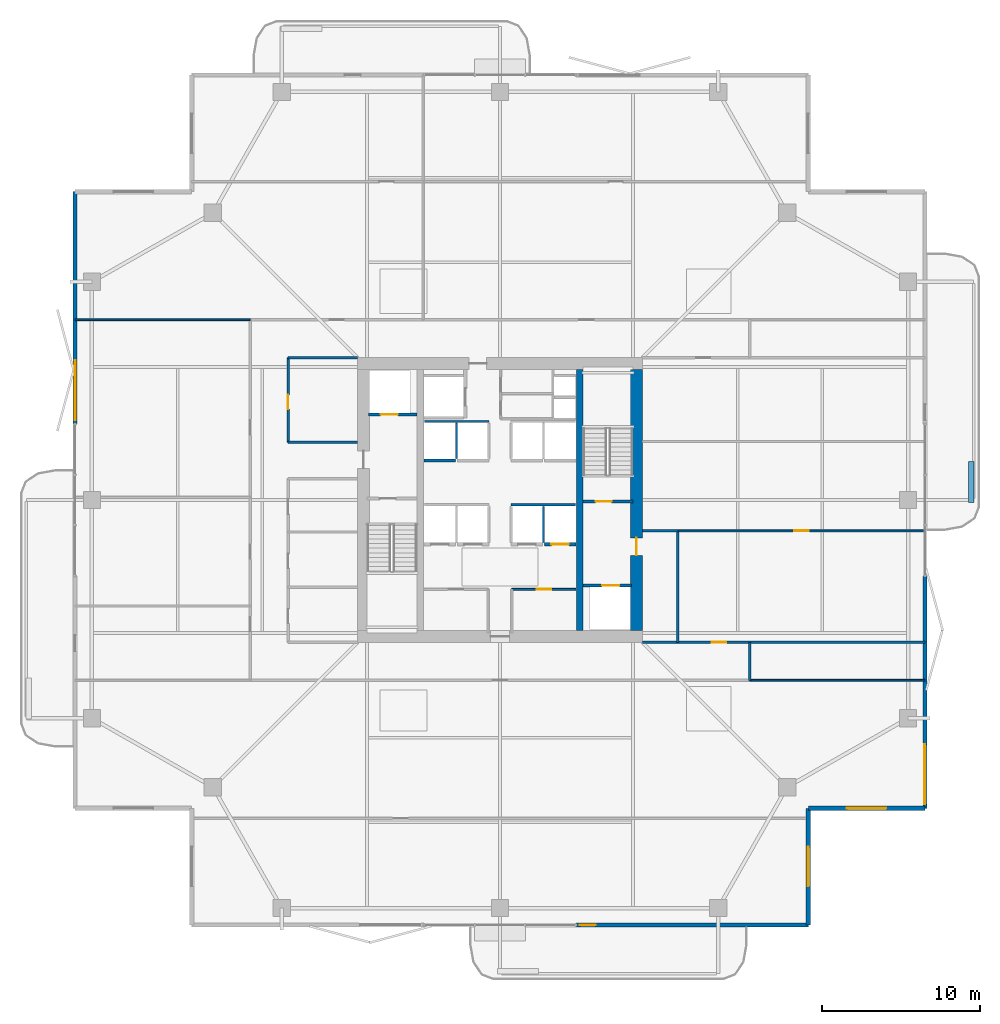
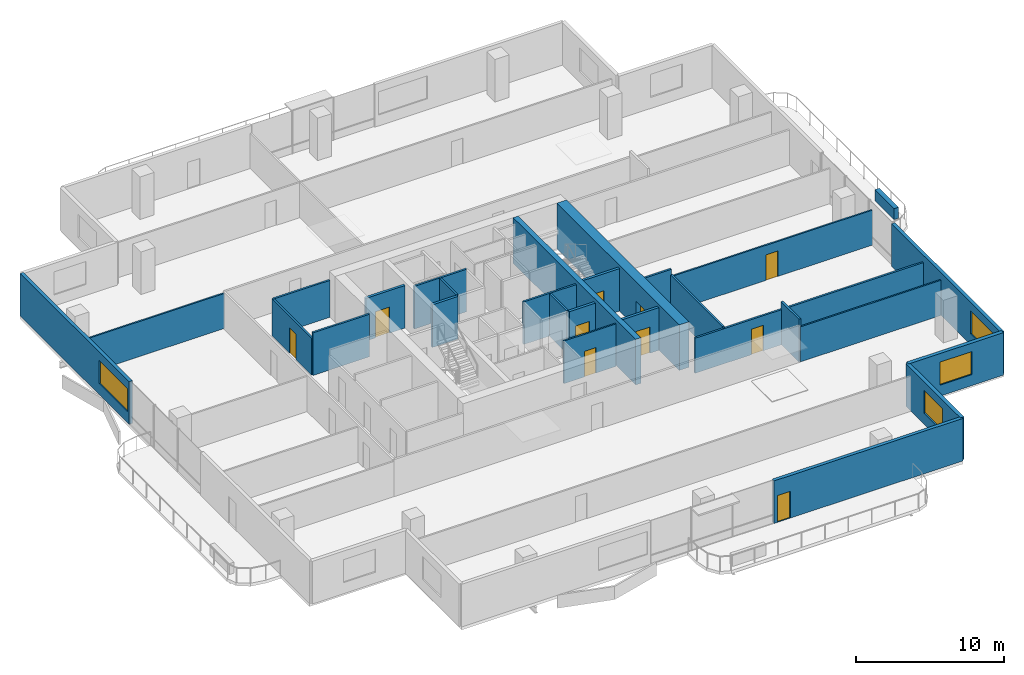
# One storey, part 18 of 24: 28 walls, 10 doors, 4 windows, 14 openings.
"""IFC4 building model written with IfcOpenShell, lengths in metres."""

from ifc_helpers import new_model, si_unit, direction, frame, frame_2d, origin, place, context, subcontext, project, spatial, rectangle, extrude, material, layer, layer_set, type_object, element, fill, save


model = new_model("IFC4")

# Units and contexts
model_context = context("Model", 3, precision=1e-05, world=origin(), true_north=direction((0.0, 1.0)))
body_context = subcontext(model_context, "Body", "Model", "MODEL_VIEW")
ifc_project = project(units=[si_unit("LENGTHUNIT", "METRE"), si_unit("AREAUNIT", "SQUARE_METRE"), si_unit("VOLUMEUNIT", "CUBIC_METRE"), si_unit("PLANEANGLEUNIT", "RADIAN"), si_unit("MASSUNIT", "GRAM", prefix="KILO")], contexts=[model_context])

# Site, building, storey
site_placement = place(None, origin())
site = spatial("IfcSite", under=ifc_project, at=site_placement, CompositionType="ELEMENT")
building_placement = place(site_placement, origin())
building = spatial("IfcBuilding", under=site, at=building_placement, Name="Belovzor Exchange Tower", CompositionType="ELEMENT")
storey_placement = place(building_placement, frame((0.0, 0.0, 222.449951171875)))
storey = spatial("IfcBuildingStorey", under=building, at=storey_placement, Name="L55", CompositionType="ELEMENT", Elevation=222.449951171875)

# Wall, opening, door
ifc_material_1 = material(Name="Acoustic Plasterboard on Galvanised Studs", Category="gypsum")
ifc_layer_1 = layer(ifc_material_1, 0.1201171875)
ifc_layer_set_1 = layer_set([ifc_layer_1], Name="Acoustic Plasterboard on Galvanised Studs")
wall_type_1 = type_object("IfcWallType", Name="Acoustic Double-Stud Partition Wall 120", PredefinedType="PARTITIONING", material=ifc_layer_set_1)
wall_1_placement = place(storey_placement, frame((40.050048828125, 26.85009765625, 0.0), z_axis=(0.0, 0.0, 1.0), x_axis=(1.0, 0.0, 0.0)))
wall_1 = element("IfcWall", 1, at=wall_1_placement, inside=storey, type_object=wall_type_1, Name="W-P120 Partition Wall W-L55-EDIV-1", PredefinedType="PARTITIONING", context=body_context, shape_type="SweptSolid", body=[
    extrude(rectangle(XDim=15.619873046875, YDim=0.1201171875, at=frame_2d((7.81005859375, 0.0))), origin(), (0.0, 0.0, 1.0), 2.885009765625),
])
opening_1_placement = place(wall_1_placement, frame((7.360107421875, 0.0, 0.0)))
opening_1 = element("IfcOpeningElement", 2, at=opening_1_placement, cuts=wall_1, Name="Opening D-INT-090", PredefinedType="OPENING", context=body_context, shape_type="SweptSolid", body=[
    extrude(rectangle(XDim=0.89990234375, YDim=2.10009765625, at=frame_2d((0.449951171875, 1.050048828125))), frame((0.0, 0.070068359375, 0.0), z_axis=(0.0, -1.0, 0.0), x_axis=(1.0, 0.0, 0.0)), (0.0, 0.0, 1.0), 0.14013671875),
])
ifc_material_2 = material(Name="Veneered Hardwood Acoustic Leaf", Category="wood")
door_type_1 = type_object("IfcDoorType", Name="Trading Suite Acoustic Single Door 900x2100", OperationType="NOTDEFINED", PredefinedType="DOOR", material=ifc_material_2)
door_1_placement = place(opening_1_placement, origin())
door_1 = element("IfcDoor", 3, at=door_1_placement, inside=storey, type_object=door_type_1, Name="D-INT-090 Trading Suite Acoustic Single Door 900x2100", OperationType="SINGLE_SWING_LEFT", OverallHeight=2.10009765625, OverallWidth=0.89990234375, PredefinedType="DOOR", context=body_context, shape_type="SweptSolid", body=[
    extrude(rectangle(XDim=0.89990234375, YDim=2.10009765625, at=frame_2d((0.449951171875, 1.050048828125))), frame((0.0, 0.02490234375, 0.0), z_axis=(0.0, -1.0, 0.0), x_axis=(1.0, 0.0, 0.0)), (0.0, 0.0, 1.0), 0.050048828125),
])
fill(opening_1, door_1)

# Walls
wall_2_placement = place(storey_placement, frame((44.60009765625, 17.39990234375, 0.0), z_axis=(0.0, 0.0, 1.0), x_axis=(1.0, 0.0, 0.0)))
element("IfcWall", 4, at=wall_2_placement, inside=storey, type_object=wall_type_1, Name="W-P120 Partition Wall W-L55-END-SE", PredefinedType="PARTITIONING", context=body_context, shape_type="SweptSolid", body=[
    extrude(rectangle(XDim=11.06982421875, YDim=0.1201171875, at=frame_2d((5.534912109375, 0.0))), origin(), (0.0, 0.0, 1.0), 2.885009765625),
])
wall_3_placement = place(storey_placement, frame((1.929931640625, 40.199951171875, 0.0), z_axis=(0.0, 0.0, 1.0), x_axis=(1.0, 0.0, 0.0)))
element("IfcWall", 5, at=wall_3_placement, inside=storey, type_object=wall_type_1, Name="W-P120 Partition Wall W-L55-END-NW", PredefinedType="PARTITIONING", context=body_context, shape_type="SweptSolid", body=[
    extrude(rectangle(XDim=11.070068359375, YDim=0.1201171875, at=frame_2d((5.53515625, 0.0))), origin(), (0.0, 0.0, 1.0), 2.885009765625),
])

# Wall, opening, door
ifc_material_3 = material(Name="Fire-Rated Plasterboard on Galvanised Studs", Category="gypsum")
ifc_layer_2 = layer(ifc_material_3, 0.1201171875)
ifc_layer_set_2 = layer_set([ifc_layer_2], Name="Fire-Rated Plasterboard on Galvanised Studs")
wall_type_2 = type_object("IfcWallType", Name="Fire-Rated Double-Stud Partition Wall 120", PredefinedType="PARTITIONING", material=ifc_layer_set_2)
wall_4_placement = place(storey_placement, frame((29.550048828125, 23.14990234375, 0.0), z_axis=(0.0, 0.0, 1.0), x_axis=(1.0, 0.0, 0.0)))
wall_4 = element("IfcWall", 6, at=wall_4_placement, inside=storey, type_object=wall_type_2, Name="W-P120F Partition Wall W-CRL-L55-EN", PredefinedType="PARTITIONING", context=body_context, shape_type="SweptSolid", body=[
    extrude(rectangle(XDim=4.050048828125, YDim=0.1201171875, at=frame_2d((2.02490234375, 0.0))), origin(), (0.0, 0.0, 1.0), 3.5),
])
opening_2_placement = place(wall_4_placement, frame((1.574951171875, 0.0, 0.0)))
opening_2 = element("IfcOpeningElement", 7, at=opening_2_placement, cuts=wall_4, Name="Opening D-FD60-090", PredefinedType="OPENING", context=body_context, shape_type="SweptSolid", body=[
    extrude(rectangle(XDim=0.89990234375, YDim=2.10009765625, at=frame_2d((0.449951171875, 1.050048828125))), frame((0.0, 0.070068359375, 0.0), z_axis=(0.0, -1.0, 0.0), x_axis=(1.0, 0.0, 0.0)), (0.0, 0.0, 1.0), 0.14013671875),
])
ifc_material_4 = material(Name="Acoustic Timber Fire Leaf", Category="wood")
door_type_2 = type_object("IfcDoorType", Name="Core Service & Restroom Fire Door 900x2100", OperationType="NOTDEFINED", PredefinedType="DOOR", material=ifc_material_4)
door_2_placement = place(opening_2_placement, origin())
door_2 = element("IfcDoor", 8, at=door_2_placement, inside=storey, type_object=door_type_2, Name="D-FD60-090 Core Service & Restroom Fire Door 900x2100", OperationType="SINGLE_SWING_RIGHT", OverallHeight=2.10009765625, OverallWidth=0.89990234375, PredefinedType="DOOR", context=body_context, shape_type="SweptSolid", body=[
    extrude(rectangle(XDim=0.89990234375, YDim=2.10009765625, at=frame_2d((0.449951171875, 1.050048828125))), frame((0.0, 0.02490234375, 0.0), z_axis=(0.0, -1.0, 0.0), x_axis=(1.0, 0.0, 0.0)), (0.0, 0.0, 1.0), 0.050048828125),
])
fill(opening_2, door_2)

# Walls
ifc_material_5 = material(Name="Fire-Rated Gypsum Block and Mineral Wool", Category="gypsum")
ifc_layer_3 = layer(ifc_material_5, 0.14990234375)
ifc_layer_set_3 = layer_set([ifc_layer_3], Name="Fire-Rated Gypsum Block and Mineral Wool")
wall_type_3 = type_object("IfcWallType", Name="Fire-Rated Gypsum Block Corridor Wall 150", PredefinedType="PARTITIONING", material=ifc_layer_set_3)
wall_5_placement = place(storey_placement, frame((15.39990234375, 32.449951171875, 0.0), z_axis=(0.0, 0.0, 1.0), x_axis=(1.0, 0.0, 0.0)))
element("IfcWall", 9, at=wall_5_placement, inside=storey, type_object=wall_type_3, Name="W-P150 Partition Wall W-L55-CFW-N", PredefinedType="PARTITIONING", context=body_context, shape_type="SweptSolid", body=[
    extrude(rectangle(XDim=4.400146484375, YDim=0.14990234375, at=frame_2d((2.2001953125, 0.0))), origin(), (0.0, 0.0, 1.0), 3.5),
])
wall_6_placement = place(storey_placement, frame((15.39990234375, 37.800048828125, 0.0), z_axis=(0.0, 0.0, 1.0), x_axis=(1.0, 0.0, 0.0)))
element("IfcWall", 10, at=wall_6_placement, inside=storey, type_object=wall_type_3, Name="W-P150 Partition Wall W-L55-INW-N", PredefinedType="PARTITIONING", context=body_context, shape_type="SweptSolid", body=[
    extrude(rectangle(XDim=4.400146484375, YDim=0.14990234375, at=frame_2d((2.2001953125, 0.0))), origin(), (0.0, 0.0, 1.0), 3.03515625),
])

# Wall, opening, door
wall_7_placement = place(storey_placement, frame((15.39990234375, 32.449951171875, 0.0), z_axis=(0.0, 0.0, 1.0), x_axis=(0.0, 1.0, 0.0)))
wall_7 = element("IfcWall", 11, at=wall_7_placement, inside=storey, type_object=wall_type_3, Name="W-P150 Partition Wall W-L55-WIE-N", PredefinedType="PARTITIONING", context=body_context, shape_type="SweptSolid", body=[
    extrude(rectangle(XDim=5.35009765625, YDim=0.14990234375, at=frame_2d((2.675048828125, 0.0))), origin(), (0.0, 0.0, 1.0), 3.03515625),
])
opening_3_placement = place(wall_7_placement, frame((2.10009765625, 0.0, 0.0)))
opening_3 = element("IfcOpeningElement", 12, at=opening_3_placement, cuts=wall_7, Name="Opening D-FD60-090", PredefinedType="OPENING", context=body_context, shape_type="SweptSolid", body=[
    extrude(rectangle(XDim=0.89990234375, YDim=2.10009765625, at=frame_2d((0.449951171875, 1.050048828125))), frame((0.0, 0.0849609375, 0.0), z_axis=(0.0, -1.0, 0.0), x_axis=(1.0, 0.0, 0.0)), (0.0, 0.0, 1.0), 0.169921875),
])
door_3_placement = place(opening_3_placement, origin())
door_3 = element("IfcDoor", 13, at=door_3_placement, inside=storey, type_object=door_type_2, Name="D-FD60-090 Core Service & Restroom Fire Door 900x2100", OperationType="SINGLE_SWING_LEFT", OverallHeight=2.10009765625, OverallWidth=0.89990234375, PredefinedType="DOOR", context=body_context, shape_type="SweptSolid", body=[
    extrude(rectangle(XDim=0.89990234375, YDim=2.10009765625, at=frame_2d((0.449951171875, 1.050048828125))), frame((0.0, 0.02490234375, 0.0), z_axis=(0.0, -1.0, 0.0), x_axis=(1.0, 0.0, 0.0)), (0.0, 0.0, 1.0), 0.050048828125),
])
fill(opening_3, door_3)

# Walls
wall_8_placement = place(storey_placement, frame((37.800048828125, 26.85009765625, 0.0), z_axis=(0.0, 0.0, 1.0), x_axis=(1.0, 0.0, 0.0)))
element("IfcWall", 14, at=wall_8_placement, inside=storey, type_object=wall_type_3, Name="W-P150 Partition Wall W-L55-CFE-N", PredefinedType="PARTITIONING", context=body_context, shape_type="SweptSolid", body=[
    extrude(rectangle(XDim=2.25, YDim=0.14990234375, at=frame_2d((1.125, 0.0))), origin(), (0.0, 0.0, 1.0), 3.5),
])
wall_9_placement = place(storey_placement, frame((40.050048828125, 19.800048828125, 0.0), z_axis=(0.0, 0.0, 1.0), x_axis=(0.0, 1.0, 0.0)))
element("IfcWall", 15, at=wall_9_placement, inside=storey, type_object=wall_type_3, Name="W-P150 Partition Wall W-L55-CFE-E", PredefinedType="PARTITIONING", context=body_context, shape_type="SweptSolid", body=[
    extrude(rectangle(XDim=7.050048828125, YDim=0.14990234375, at=frame_2d((3.52490234375, 0.0))), origin(), (0.0, 0.0, 1.0), 3.03515625),
])
wall_10_placement = place(storey_placement, frame((44.60009765625, 17.39990234375, 0.0), z_axis=(0.0, 0.0, 1.0), x_axis=(0.0, 1.0, 0.0)))
element("IfcWall", 16, at=wall_10_placement, inside=storey, type_object=wall_type_3, Name="W-P150 Partition Wall W-L55-END-ES", PredefinedType="PARTITIONING", context=body_context, shape_type="SweptSolid", body=[
    extrude(rectangle(XDim=2.400146484375, YDim=0.14990234375, at=frame_2d((1.2001953125, 0.0))), origin(), (0.0, 0.0, 1.0), 3.5),
])

# Wall, opening, door
wall_11_placement = place(storey_placement, frame((37.800048828125, 19.800048828125, 0.0), z_axis=(0.0, 0.0, 1.0), x_axis=(1.0, 0.0, 0.0)))
wall_11 = element("IfcWall", 17, at=wall_11_placement, inside=storey, type_object=wall_type_3, Name="W-P150 Partition Wall W-L55-CS-IN", PredefinedType="PARTITIONING", context=body_context, shape_type="SweptSolid", body=[
    extrude(rectangle(XDim=17.869873046875, YDim=0.14990234375, at=frame_2d((8.93505859375, 0.0))), origin(), (0.0, 0.0, 1.0), 2.885009765625),
])
opening_4_placement = place(wall_11_placement, frame((4.39990234375, 0.0, 0.0)))
opening_4 = element("IfcOpeningElement", 18, at=opening_4_placement, cuts=wall_11, Name="Opening D-INT-090", PredefinedType="OPENING", context=body_context, shape_type="SweptSolid", body=[
    extrude(rectangle(XDim=0.89990234375, YDim=2.10009765625, at=frame_2d((0.449951171875, 1.050048828125))), frame((0.0, 0.0849609375, 0.0), z_axis=(0.0, -1.0, 0.0), x_axis=(1.0, 0.0, 0.0)), (0.0, 0.0, 1.0), 0.169921875),
])
door_4_placement = place(opening_4_placement, origin())
door_4 = element("IfcDoor", 19, at=door_4_placement, inside=storey, type_object=door_type_1, Name="D-INT-090 Trading Suite Acoustic Single Door 900x2100", OperationType="SINGLE_SWING_LEFT", OverallHeight=2.10009765625, OverallWidth=0.89990234375, PredefinedType="DOOR", context=body_context, shape_type="SweptSolid", body=[
    extrude(rectangle(XDim=0.89990234375, YDim=2.10009765625, at=frame_2d((0.449951171875, 1.050048828125))), frame((0.0, 0.02490234375, 0.0), z_axis=(0.0, -1.0, 0.0), x_axis=(1.0, 0.0, 0.0)), (0.0, 0.0, 1.0), 0.050048828125),
])
fill(opening_4, door_4)

# Wall, opening, window
ifc_material_6 = material(Name="Precast concrete C40/50", Category="concrete")
ifc_layer_4 = layer(ifc_material_6, 0.280029296875)
ifc_layer_set_4 = layer_set([ifc_layer_4], Name="Precast concrete C40/50")
wall_type_4 = type_object("IfcWallType", Name="Precast Concrete Notched Corner Frame Wall 280", PredefinedType="SOLIDWALL", material=ifc_layer_set_4)
wall_12_placement = place(storey_placement, frame((55.669921875, 9.300048828125, 0.0), z_axis=(0.0, 0.0, 1.0), x_axis=(-1.0, 0.0, 0.0)))
wall_12 = element("IfcWall", 20, at=wall_12_placement, inside=storey, type_object=wall_type_4, Name="W-CRN280 Precast Concrete Notched Corner Frame Wall 280 L55", PredefinedType="SOLIDWALL", context=body_context, shape_type="SweptSolid", body=[
    extrude(rectangle(XDim=7.369873046875, YDim=0.280029296875, at=frame_2d((3.68505859375, 0.0))), origin(), (0.0, 0.0, 1.0), 3.5),
])
opening_5_placement = place(wall_12_placement, frame((2.43505859375, 0.0, 0.89990234375)))
opening_5 = element("IfcOpeningElement", 21, at=opening_5_placement, cuts=wall_12, Name="Opening WN-CRN250", PredefinedType="OPENING", context=body_context, shape_type="SweptSolid", body=[
    extrude(rectangle(XDim=2.5, YDim=1.89990234375, at=frame_2d((1.25, 0.949951171875))), frame((0.0, 0.14990234375, 0.0), z_axis=(0.0, -1.0, 0.0), x_axis=(1.0, 0.0, 0.0)), (0.0, 0.0, 1.0), 0.300048828125),
])
ifc_material_7 = material(Name="Thermally Broken Aluminium and Triple Glazing", Category="aluminium")
window_type_1 = type_object("IfcWindowType", Name="Streamline Moderne Corner Wrap Ribbon Window 2500x1900", PartitioningType="SINGLE_PANEL", PredefinedType="WINDOW", material=ifc_material_7)
window_1_placement = place(opening_5_placement, origin())
window_1 = element("IfcWindow", 22, at=window_1_placement, inside=storey, type_object=window_type_1, Name="WN-CRN250 Streamline Moderne Corner Wrap Ribbon Window 2500x1900", OverallHeight=1.89990234375, OverallWidth=2.5, PartitioningType="SINGLE_PANEL", PredefinedType="WINDOW", context=body_context, shape_type="SweptSolid", body=[
    extrude(rectangle(XDim=2.5, YDim=1.89990234375, at=frame_2d((1.25, 0.949951171875))), frame((0.0, 0.030029296875, 0.0), z_axis=(0.0, -1.0, 0.0), x_axis=(1.0, 0.0, 0.0)), (0.0, 0.0, 1.0), 0.06005859375),
])
fill(opening_5, window_1)

wall_13_placement = place(storey_placement, frame((48.300048828125, 9.300048828125, 0.0), z_axis=(0.0, 0.0, 1.0), x_axis=(0.0, -1.0, 0.0)))
wall_13 = element("IfcWall", 23, at=wall_13_placement, inside=storey, type_object=wall_type_4, Name="W-CRN280 Precast Concrete Notched Corner Frame Wall 280 L55", PredefinedType="SOLIDWALL", context=body_context, shape_type="SweptSolid", body=[
    extrude(rectangle(XDim=7.3701171875, YDim=0.280029296875, at=frame_2d((3.68505859375, 0.0))), origin(), (0.0, 0.0, 1.0), 3.5),
])
opening_6_placement = place(wall_13_placement, frame((2.43505859375, 0.0, 0.89990234375)))
opening_6 = element("IfcOpeningElement", 24, at=opening_6_placement, cuts=wall_13, Name="Opening WN-CRN250", PredefinedType="OPENING", context=body_context, shape_type="SweptSolid", body=[
    extrude(rectangle(XDim=2.5, YDim=1.89990234375, at=frame_2d((1.25, 0.949951171875))), frame((0.0, 0.14990234375, 0.0), z_axis=(0.0, -1.0, 0.0), x_axis=(1.0, 0.0, 0.0)), (0.0, 0.0, 1.0), 0.300048828125),
])
window_2_placement = place(opening_6_placement, origin())
window_2 = element("IfcWindow", 25, at=window_2_placement, inside=storey, type_object=window_type_1, Name="WN-CRN250 Streamline Moderne Corner Wrap Ribbon Window 2500x1900", OverallHeight=1.89990234375, OverallWidth=2.5, PartitioningType="SINGLE_PANEL", PredefinedType="WINDOW", context=body_context, shape_type="SweptSolid", body=[
    extrude(rectangle(XDim=2.5, YDim=1.89990234375, at=frame_2d((1.25, 0.949951171875))), frame((0.0, 0.030029296875, 0.0), z_axis=(0.0, -1.0, 0.0), x_axis=(1.0, 0.0, 0.0)), (0.0, 0.0, 1.0), 0.06005859375),
])
fill(opening_6, window_2)

# Wall, opening, door
ifc_material_8 = material(Name="Precast concrete C40/50", Category="concrete")
ifc_layer_5 = layer(ifc_material_8, 0.260009765625)
ifc_layer_set_5 = layer_set([ifc_layer_5], Name="Precast concrete C40/50")
wall_type_5 = type_object("IfcWallType", Name="Precast Concrete Perimeter Loggia Frame Wall 260", PredefinedType="SOLIDWALL", material=ifc_layer_set_5)
wall_14_placement = place(storey_placement, frame((48.300048828125, 1.929931640625, 0.0), z_axis=(0.0, 0.0, 1.0), x_axis=(-1.0, 0.0, 0.0)))
wall_14 = element("IfcWall", 26, at=wall_14_placement, inside=storey, type_object=wall_type_5, Name="W-EXT260 Precast Concrete Perimeter Loggia Frame Wall 260 L55", PredefinedType="SOLIDWALL", context=body_context, shape_type="SweptSolid", body=[
    extrude(rectangle(XDim=14.699951171875, YDim=0.260009765625, at=frame_2d((7.35009765625, 0.0))), origin(), (0.0, 0.0, 1.0), 3.5),
])
opening_7_placement = place(wall_14_placement, frame((13.449951171875, 0.0, 0.0)))
opening_7 = element("IfcOpeningElement", 27, at=opening_7_placement, cuts=wall_14, Name="Opening D-BAL100", PredefinedType="OPENING", context=body_context, shape_type="SweptSolid", body=[
    extrude(rectangle(XDim=1.0, YDim=2.199951171875, at=frame_2d((0.5, 1.10009765625))), frame((0.0, 0.139892578125, 0.0), z_axis=(0.0, -1.0, 0.0), x_axis=(1.0, 0.0, 0.0)), (0.0, 0.0, 1.0), 0.280029296875),
])
ifc_material_9 = material(Name="Thermally Broken Anodised Aluminium and Laminated Glass", Category="aluminium")
door_type_3 = type_object("IfcDoorType", Name="Planted Loggia Terrace Glazed Door 1000x2200", OperationType="SINGLE_SWING_LEFT", PredefinedType="DOOR", material=ifc_material_9)
door_5_placement = place(opening_7_placement, origin())
door_5 = element("IfcDoor", 28, at=door_5_placement, inside=storey, type_object=door_type_3, Name="D-BAL100 Balcony Terrace Door L55 S", OperationType="SINGLE_SWING_LEFT", OverallHeight=2.199951171875, OverallWidth=1.0, PredefinedType="DOOR", context=body_context, shape_type="SweptSolid", body=[
    extrude(rectangle(XDim=1.0, YDim=2.199951171875, at=frame_2d((0.5, 1.10009765625))), frame((0.0, 0.02490234375, 0.0), z_axis=(0.0, -1.0, 0.0), x_axis=(1.0, 0.0, 0.0)), (0.0, 0.0, 1.0), 0.050048828125),
])
fill(opening_7, door_5)

# Wall, opening, window
wall_15_placement = place(storey_placement, frame((1.929931640625, 33.60009765625, 0.0), z_axis=(0.0, 0.0, 1.0), x_axis=(0.0, 1.0, 0.0)))
wall_15 = element("IfcWall", 29, at=wall_15_placement, inside=storey, type_object=wall_type_5, Name="W-EXT260 Precast Concrete Perimeter Loggia Frame Wall 260 L55", PredefinedType="SOLIDWALL", context=body_context, shape_type="SweptSolid", body=[
    extrude(rectangle(XDim=14.699951171875, YDim=0.260009765625, at=frame_2d((7.35009765625, 0.0))), origin(), (0.0, 0.0, 1.0), 3.5),
])
opening_8_placement = place(wall_15_placement, frame((0.25, 0.0, 0.89990234375)))
opening_8 = element("IfcOpeningElement", 30, at=opening_8_placement, cuts=wall_15, Name="Opening WN-RIB380", PredefinedType="OPENING", context=body_context, shape_type="SweptSolid", body=[
    extrude(rectangle(XDim=3.800048828125, YDim=1.89990234375, at=frame_2d((1.89990234375, 0.949951171875))), frame((0.0, 0.139892578125, 0.0), z_axis=(0.0, -1.0, 0.0), x_axis=(1.0, 0.0, 0.0)), (0.0, 0.0, 1.0), 0.280029296875),
])
ifc_material_10 = material(Name="Thermally Broken Aluminium and Triple Glazing", Category="aluminium")
window_type_2 = type_object("IfcWindowType", Name="Streamline Moderne Horizontal Ribbon Window 3800x1900", PartitioningType="SINGLE_PANEL", PredefinedType="WINDOW", material=ifc_material_10)
window_3_placement = place(opening_8_placement, origin())
window_3 = element("IfcWindow", 31, at=window_3_placement, inside=storey, type_object=window_type_2, Name="WN-RIB380 Streamline Moderne Horizontal Ribbon Window 3800x1900", OverallHeight=1.89990234375, OverallWidth=3.800048828125, PartitioningType="SINGLE_PANEL", PredefinedType="WINDOW", context=body_context, shape_type="SweptSolid", body=[
    extrude(rectangle(XDim=3.800048828125, YDim=1.89990234375, at=frame_2d((1.89990234375, 0.949951171875))), frame((0.0, 0.030029296875, 0.0), z_axis=(0.0, -1.0, 0.0), x_axis=(1.0, 0.0, 0.0)), (0.0, 0.0, 1.0), 0.06005859375),
])
fill(opening_8, window_3)

wall_16_placement = place(storey_placement, frame((55.669921875, 24.0, 0.0), z_axis=(0.0, 0.0, 1.0), x_axis=(0.0, -1.0, 0.0)))
wall_16 = element("IfcWall", 32, at=wall_16_placement, inside=storey, type_object=wall_type_5, Name="W-EXT260 Precast Concrete Perimeter Loggia Frame Wall 260 L55", PredefinedType="SOLIDWALL", context=body_context, shape_type="SweptSolid", body=[
    extrude(rectangle(XDim=14.699951171875, YDim=0.260009765625, at=frame_2d((7.35009765625, 0.0))), origin(), (0.0, 0.0, 1.0), 3.5),
])
opening_9_placement = place(wall_16_placement, frame((10.64990234375, 0.0, 0.89990234375)))
opening_9 = element("IfcOpeningElement", 33, at=opening_9_placement, cuts=wall_16, Name="Opening WN-RIB380", PredefinedType="OPENING", context=body_context, shape_type="SweptSolid", body=[
    extrude(rectangle(XDim=3.800048828125, YDim=1.89990234375, at=frame_2d((1.89990234375, 0.949951171875))), frame((0.0, 0.139892578125, 0.0), z_axis=(0.0, -1.0, 0.0), x_axis=(1.0, 0.0, 0.0)), (0.0, 0.0, 1.0), 0.280029296875),
])
window_4_placement = place(opening_9_placement, origin())
window_4 = element("IfcWindow", 34, at=window_4_placement, inside=storey, type_object=window_type_2, Name="WN-RIB380 Streamline Moderne Horizontal Ribbon Window 3800x1900", OverallHeight=1.89990234375, OverallWidth=3.800048828125, PartitioningType="SINGLE_PANEL", PredefinedType="WINDOW", context=body_context, shape_type="SweptSolid", body=[
    extrude(rectangle(XDim=3.800048828125, YDim=1.89990234375, at=frame_2d((1.89990234375, 0.949951171875))), frame((0.0, 0.030029296875, 0.0), z_axis=(0.0, -1.0, 0.0), x_axis=(1.0, 0.0, 0.0)), (0.0, 0.0, 1.0), 0.06005859375),
])
fill(opening_9, window_4)

# Walls
ifc_material_11 = material(Name="Precast concrete C40/50", Category="concrete")
ifc_layer_6 = layer(ifc_material_11, 0.35009765625)
ifc_layer_set_6 = layer_set([ifc_layer_6], Name="Precast concrete C40/50")
wall_type_6 = type_object("IfcWallType", Name="Precast Concrete Structural Tree Planter Trough 350", PredefinedType="PARAPET", material=ifc_layer_set_6)
wall_17_placement = place(storey_placement, frame((58.60009765625, 28.64990234375, 0.0), z_axis=(0.0, 0.0, 1.0), x_axis=(0.0, 1.0, 0.0)))
element("IfcWall", 35, at=wall_17_placement, inside=storey, type_object=wall_type_6, Name="PT-350 Precast Concrete Structural Tree Planter Trough 350 L55", PredefinedType="PARAPET", context=body_context, shape_type="SweptSolid", body=[
    extrude(rectangle(XDim=2.60009765625, YDim=0.35009765625, at=frame_2d((1.300048828125, 0.0))), origin(), (0.0, 0.0, 1.0), 0.900146484375),
])
ifc_material_12 = material(Name="Concrete C50/60", Category="concrete")
ifc_layer_7 = layer(ifc_material_12, 0.39990234375)
ifc_layer_set_7 = layer_set([ifc_layer_7], Name="Concrete C50/60")
wall_type_7 = type_object("IfcWallType", Name="Reinforced Concrete Core Internal Web Wall 400", PredefinedType="SHEAR", material=ifc_layer_set_7)
wall_18_placement = place(storey_placement, frame((33.85009765625, 20.550048828125, 0.0), z_axis=(0.0, 0.0, 1.0), x_axis=(0.0, 1.0, 0.0)))
element("IfcWall", 36, at=wall_18_placement, inside=storey, type_object=wall_type_7, Name="CW-W040 Core Internal Web Wall L55 ER", PredefinedType="SHEAR", context=body_context, shape_type="SweptSolid", body=[
    extrude(rectangle(XDim=16.5, YDim=0.39990234375, at=frame_2d((8.25, 0.0))), origin(), (0.0, 0.0, 1.0), 3.75),
])
ifc_material_13 = material(Name="Concrete C50/60", Category="concrete")
ifc_layer_8 = layer(ifc_material_13, 0.14990234375)
ifc_layer_set_8 = layer_set([ifc_layer_8], Name="Concrete C50/60")
wall_type_8 = type_object("IfcWallType", Name="Reinforced Concrete Core Riser Shear Wall 150", PredefinedType="SHEAR", material=ifc_layer_set_8)
wall_19_placement = place(storey_placement, frame((29.5, 28.5, 0.0), z_axis=(0.0, 0.0, 1.0), x_axis=(1.0, 0.0, 0.0)))
element("IfcWall", 37, at=wall_19_placement, inside=storey, type_object=wall_type_8, Name="W-C150S Core Shaft Wall W-SHB-L55-PLM-NE", PredefinedType="SHEAR", context=body_context, shape_type="SweptSolid", body=[
    extrude(rectangle(XDim=4.080078125, YDim=0.14990234375, at=frame_2d((2.0400390625, 0.0))), origin(), (0.0, 0.0, 1.0), 3.5),
])
wall_20_placement = place(storey_placement, frame((31.550048828125, 26.1201171875, 0.0), z_axis=(0.0, 0.0, 1.0), x_axis=(0.0, 1.0, 0.0)))
element("IfcWall", 38, at=wall_20_placement, inside=storey, type_object=wall_type_8, Name="W-C150S Core Shaft Wall W-SHD-L55-PLM-4", PredefinedType="SHEAR", context=body_context, shape_type="SweptSolid", body=[
    extrude(rectangle(XDim=2.27978515625, YDim=0.14990234375, at=frame_2d((1.139892578125, 0.0))), origin(), (0.0, 0.0, 1.0), 3.5),
])
wall_21_placement = place(storey_placement, frame((24.02001953125, 33.760009765625, 0.0), z_axis=(0.0, 0.0, 1.0), x_axis=(1.0, 0.0, 0.0)))
element("IfcWall", 39, at=wall_21_placement, inside=storey, type_object=wall_type_8, Name="W-C150S Core Shaft Wall W-SHB-L55-PLH-NW", PredefinedType="SHEAR", context=body_context, shape_type="SweptSolid", body=[
    extrude(rectangle(XDim=4.080078125, YDim=0.14990234375, at=frame_2d((2.0400390625, 0.0))), origin(), (0.0, 0.0, 1.0), 3.5),
])
wall_22_placement = place(storey_placement, frame((26.050048828125, 31.419921875, 0.0), z_axis=(0.0, 0.0, 1.0), x_axis=(0.0, 1.0, 0.0)))
element("IfcWall", 40, at=wall_22_placement, inside=storey, type_object=wall_type_8, Name="W-C150S Core Shaft Wall W-SHD-L55-PLH-1", PredefinedType="SHEAR", context=body_context, shape_type="SweptSolid", body=[
    extrude(rectangle(XDim=2.239990234375, YDim=0.14990234375, at=frame_2d((1.1201171875, 0.0))), origin(), (0.0, 0.0, 1.0), 3.5),
])

# Wall, opening, door
ifc_material_14 = material(Name="Concrete C50/60", Category="concrete")
ifc_layer_9 = layer(ifc_material_14, 0.199951171875)
ifc_layer_set_9 = layer_set([ifc_layer_9], Name="Concrete C50/60")
wall_type_9 = type_object("IfcWallType", Name="Reinforced Concrete Core Shaft Shear Wall 200", PredefinedType="SHEAR", material=ifc_layer_set_9)
wall_23_placement = place(storey_placement, frame((34.050048828125, 28.699951171875, 0.0), z_axis=(0.0, 0.0, 1.0), x_axis=(1.0, 0.0, 0.0)))
wall_23 = element("IfcWall", 41, at=wall_23_placement, inside=storey, type_object=wall_type_9, Name="W-C200S Core Shaft Wall W-CORE-L55-FFLE2", PredefinedType="SHEAR", context=body_context, shape_type="SweptSolid", body=[
    extrude(rectangle(XDim=3.14990234375, YDim=0.199951171875, at=frame_2d((1.574951171875, 0.0))), origin(), (0.0, 0.0, 1.0), 3.5),
])
opening_10_placement = place(wall_23_placement, frame((0.800048828125, 0.0, 0.0)))
opening_10 = element("IfcOpeningElement", 42, at=opening_10_placement, cuts=wall_23, Name="Opening D-FD90-100", PredefinedType="OPENING", context=body_context, shape_type="SweptSolid", body=[
    extrude(rectangle(XDim=1.0, YDim=2.10009765625, at=frame_2d((0.5, 1.050048828125))), frame((0.0, 0.10986328125, 0.0), z_axis=(0.0, -1.0, 0.0), x_axis=(1.0, 0.0, 0.0)), (0.0, 0.0, 1.0), 0.219970703125),
])
ifc_material_15 = material(Name="Fire-Rated Galvanised Steel Leaf", Category="steel")
door_type_4 = type_object("IfcDoorType", Name="Protected Stairwell Single Fire Door 1000x2100", OperationType="NOTDEFINED", PredefinedType="DOOR", material=ifc_material_15)
door_6_placement = place(opening_10_placement, origin())
door_6 = element("IfcDoor", 43, at=door_6_placement, inside=storey, type_object=door_type_4, Name="D-FD90-100 Protected Stairwell Single Fire Door 1000x2100", OperationType="SINGLE_SWING_LEFT", OverallHeight=2.10009765625, OverallWidth=1.0, PredefinedType="DOOR", context=body_context, shape_type="SweptSolid", body=[
    extrude(rectangle(XDim=1.0, YDim=2.10009765625, at=frame_2d((0.5, 1.050048828125))), frame((0.0, 0.02490234375, 0.0), z_axis=(0.0, -1.0, 0.0), x_axis=(1.0, 0.0, 0.0)), (0.0, 0.0, 1.0), 0.050048828125),
])
fill(opening_10, door_6)

wall_24_placement = place(storey_placement, frame((20.5, 34.199951171875, 0.0), z_axis=(0.0, 0.0, 1.0), x_axis=(1.0, 0.0, 0.0)))
wall_24 = element("IfcWall", 44, at=wall_24_placement, inside=storey, type_object=wall_type_9, Name="W-C200S Core Shaft Wall W-SH-L55-FFL-01", PredefinedType="SHEAR", context=body_context, shape_type="SweptSolid", body=[
    extrude(rectangle(XDim=3.050048828125, YDim=0.199951171875, at=frame_2d((1.52490234375, 0.0))), origin(), (0.0, 0.0, 1.0), 3.5),
])
opening_11_placement = place(wall_24_placement, frame((0.75, 0.0, 0.0)))
opening_11 = element("IfcOpeningElement", 45, at=opening_11_placement, cuts=wall_24, Name="Opening LD-110", PredefinedType="OPENING", context=body_context, shape_type="SweptSolid", body=[
    extrude(rectangle(XDim=1.10009765625, YDim=2.14990234375, at=frame_2d((0.550048828125, 1.074951171875))), frame((0.0, 0.10986328125, 0.0), z_axis=(0.0, -1.0, 0.0), x_axis=(1.0, 0.0, 0.0)), (0.0, 0.0, 1.0), 0.219970703125),
])
ifc_material_16 = material(Name="Stainless Steel Grade 304", Category="steel")
door_type_5 = type_object("IfcDoorType", Name="Automated Stainless Steel Lift Landing Door 1100x2150", OperationType="SLIDING_TO_RIGHT", PredefinedType="DOOR", material=ifc_material_16)
door_7_placement = place(opening_11_placement, origin())
door_7 = element("IfcDoor", 46, at=door_7_placement, inside=storey, type_object=door_type_5, Name="LD-110 Automated Stainless Steel Lift Landing Door 1100x2150", OperationType="SLIDING_TO_RIGHT", OverallHeight=2.14990234375, OverallWidth=1.10009765625, PredefinedType="DOOR", context=body_context, shape_type="SweptSolid", body=[
    extrude(rectangle(XDim=1.10009765625, YDim=2.14990234375, at=frame_2d((0.550048828125, 1.074951171875))), frame((0.0, 0.02490234375, 0.0), z_axis=(0.0, -1.0, 0.0), x_axis=(1.0, 0.0, 0.0)), (0.0, 0.0, 1.0), 0.050048828125),
])
fill(opening_11, door_7)

wall_25_placement = place(storey_placement, frame((34.050048828125, 23.39990234375, 0.0), z_axis=(0.0, 0.0, 1.0), x_axis=(1.0, 0.0, 0.0)))
wall_25 = element("IfcWall", 47, at=wall_25_placement, inside=storey, type_object=wall_type_9, Name="W-C200S Core Shaft Wall W-SH-L55-FFL-02", PredefinedType="SHEAR", context=body_context, shape_type="SweptSolid", body=[
    extrude(rectangle(XDim=3.050048828125, YDim=0.199951171875, at=frame_2d((1.52490234375, 0.0))), origin(), (0.0, 0.0, 1.0), 3.5),
])
opening_12_placement = place(wall_25_placement, frame((1.199951171875, 0.0, 0.0)))
opening_12 = element("IfcOpeningElement", 48, at=opening_12_placement, cuts=wall_25, Name="Opening LD-110", PredefinedType="OPENING", context=body_context, shape_type="SweptSolid", body=[
    extrude(rectangle(XDim=1.10009765625, YDim=2.14990234375, at=frame_2d((0.550048828125, 1.074951171875))), frame((0.0, 0.10986328125, 0.0), z_axis=(0.0, -1.0, 0.0), x_axis=(1.0, 0.0, 0.0)), (0.0, 0.0, 1.0), 0.219970703125),
])
door_8_placement = place(opening_12_placement, origin())
door_8 = element("IfcDoor", 49, at=door_8_placement, inside=storey, type_object=door_type_5, Name="LD-110 Automated Stainless Steel Lift Landing Door 1100x2150", OperationType="SLIDING_TO_RIGHT", OverallHeight=2.14990234375, OverallWidth=1.10009765625, PredefinedType="DOOR", context=body_context, shape_type="SweptSolid", body=[
    extrude(rectangle(XDim=1.10009765625, YDim=2.14990234375, at=frame_2d((0.550048828125, 1.074951171875))), frame((0.0, 0.02490234375, 0.0), z_axis=(0.0, -1.0, 0.0), x_axis=(1.0, 0.0, 0.0)), (0.0, 0.0, 1.0), 0.050048828125),
])
fill(opening_12, door_8)

wall_26_placement = place(storey_placement, frame((31.60009765625, 26.0, 0.0), z_axis=(0.0, 0.0, 1.0), x_axis=(1.0, 0.0, 0.0)))
wall_26 = element("IfcWall", 50, at=wall_26_placement, inside=storey, type_object=wall_type_9, Name="W-C200S Core Shaft Wall W-SH-L55-PL-M4", PredefinedType="SHEAR", context=body_context, shape_type="SweptSolid", body=[
    extrude(rectangle(XDim=2.0, YDim=0.199951171875, at=frame_2d((1.0, 0.0))), origin(), (0.0, 0.0, 1.0), 3.5),
])
opening_13_placement = place(wall_26_placement, frame((0.449951171875, 0.0, 0.0)))
opening_13 = element("IfcOpeningElement", 51, at=opening_13_placement, cuts=wall_26, Name="Opening LD-110", PredefinedType="OPENING", context=body_context, shape_type="SweptSolid", body=[
    extrude(rectangle(XDim=1.10009765625, YDim=2.14990234375, at=frame_2d((0.550048828125, 1.074951171875))), frame((0.0, 0.10986328125, 0.0), z_axis=(0.0, -1.0, 0.0), x_axis=(1.0, 0.0, 0.0)), (0.0, 0.0, 1.0), 0.219970703125),
])
door_9_placement = place(opening_13_placement, origin())
door_9 = element("IfcDoor", 52, at=door_9_placement, inside=storey, type_object=door_type_5, Name="LD-110 Automated Stainless Steel Lift Landing Door 1100x2150", OperationType="SLIDING_TO_RIGHT", OverallHeight=2.14990234375, OverallWidth=1.10009765625, PredefinedType="DOOR", context=body_context, shape_type="SweptSolid", body=[
    extrude(rectangle(XDim=1.10009765625, YDim=2.14990234375, at=frame_2d((0.550048828125, 1.074951171875))), frame((0.0, 0.02490234375, 0.0), z_axis=(0.0, -1.0, 0.0), x_axis=(1.0, 0.0, 0.0)), (0.0, 0.0, 1.0), 0.050048828125),
])
fill(opening_13, door_9)

# Wall
wall_27_placement = place(storey_placement, frame((24.0, 31.300048828125, 0.0), z_axis=(0.0, 0.0, 1.0), x_axis=(1.0, 0.0, 0.0)))
element("IfcWall", 53, at=wall_27_placement, inside=storey, type_object=wall_type_9, Name="W-C200S Core Shaft Wall W-SH-L55-PL-H1", PredefinedType="SHEAR", context=body_context, shape_type="SweptSolid", body=[
    extrude(rectangle(XDim=2.0, YDim=0.199951171875, at=frame_2d((1.0, 0.0))), origin(), (0.0, 0.0, 1.0), 3.5),
])

# Wall, opening, door
ifc_material_17 = material(Name="Concrete C50/60", Category="concrete")
ifc_layer_10 = layer(ifc_material_17, 0.75)
ifc_layer_set_10 = layer_set([ifc_layer_10], Name="Concrete C50/60")
wall_type_10 = type_object("IfcWallType", Name="Reinforced Concrete Core Shear Wall 750", PredefinedType="SHEAR", material=ifc_layer_set_10)
wall_28_placement = place(storey_placement, frame((37.425048828125, 20.550048828125, 0.0), z_axis=(0.0, 0.0, 1.0), x_axis=(0.0, 1.0, 0.0)))
wall_28 = element("IfcWall", 54, at=wall_28_placement, inside=storey, type_object=wall_type_10, Name="CW-S075 Core Shear Wall L55 E", PredefinedType="SHEAR", context=body_context, shape_type="SweptSolid", body=[
    extrude(rectangle(XDim=16.5, YDim=0.75, at=frame_2d((8.25, 0.0))), origin(), (0.0, 0.0, 1.0), 3.75),
])
opening_14_placement = place(wall_28_placement, frame((4.75, 0.0, 0.0)))
opening_14 = element("IfcOpeningElement", 55, at=opening_14_placement, cuts=wall_28, Name="Opening D-FD90-110", PredefinedType="OPENING", context=body_context, shape_type="SweptSolid", body=[
    extrude(rectangle(XDim=1.10009765625, YDim=2.14990234375, at=frame_2d((0.550048828125, 1.074951171875))), frame((0.0, 0.385009765625, 0.0), z_axis=(0.0, -1.0, 0.0), x_axis=(1.0, 0.0, 0.0)), (0.0, 0.0, 1.0), 0.77001953125),
])
ifc_material_18 = material(Name="Fire-Rated Galvanised Steel Leaf", Category="steel")
door_type_6 = type_object("IfcDoorType", Name="Protected Escape Vestibule Fire Door 1100x2150", OperationType="NOTDEFINED", PredefinedType="DOOR", material=ifc_material_18)
door_10_placement = place(opening_14_placement, origin())
door_10 = element("IfcDoor", 56, at=door_10_placement, inside=storey, type_object=door_type_6, Name="D-FD90-110 Protected Escape Vestibule Fire Door 1100x2150", OperationType="SINGLE_SWING_RIGHT", OverallHeight=2.14990234375, OverallWidth=1.10009765625, PredefinedType="DOOR", context=body_context, shape_type="SweptSolid", body=[
    extrude(rectangle(XDim=1.10009765625, YDim=2.14990234375, at=frame_2d((0.550048828125, 1.074951171875))), frame((0.0, 0.02490234375, 0.0), z_axis=(0.0, -1.0, 0.0), x_axis=(1.0, 0.0, 0.0)), (0.0, 0.0, 1.0), 0.050048828125),
])
fill(opening_14, door_10)

save(model, "model.ifc")
